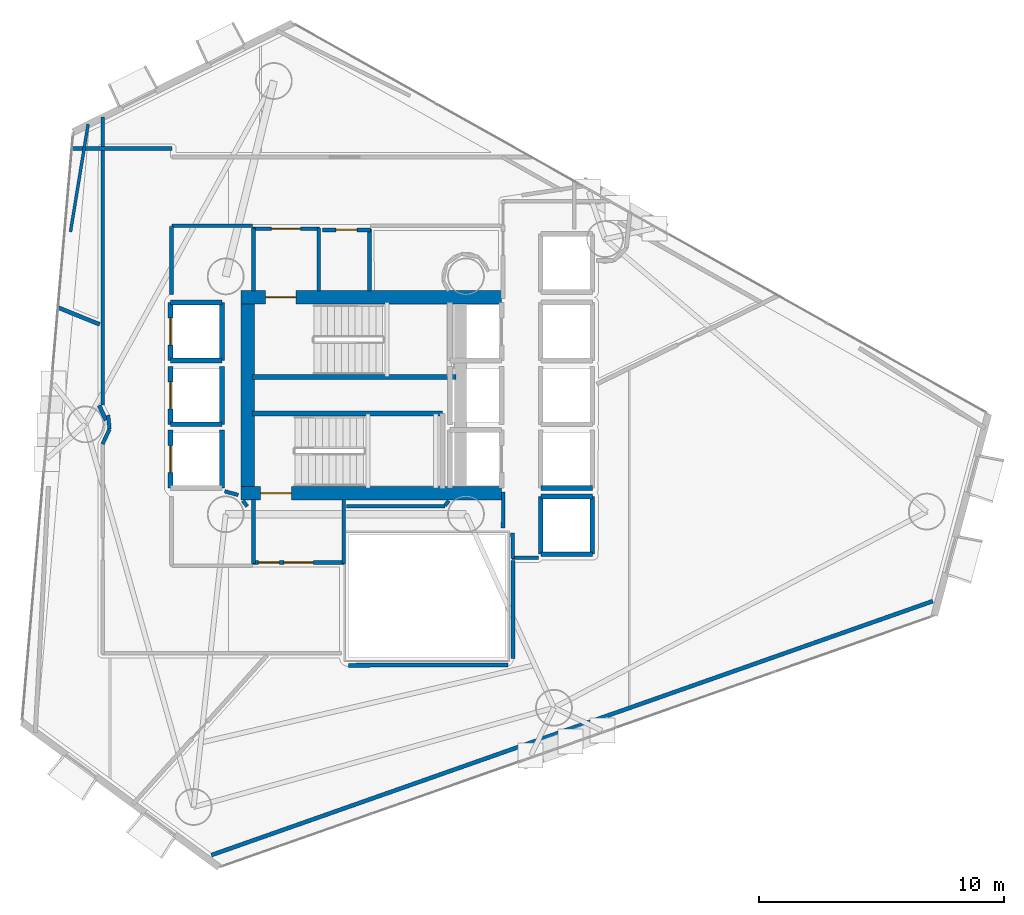
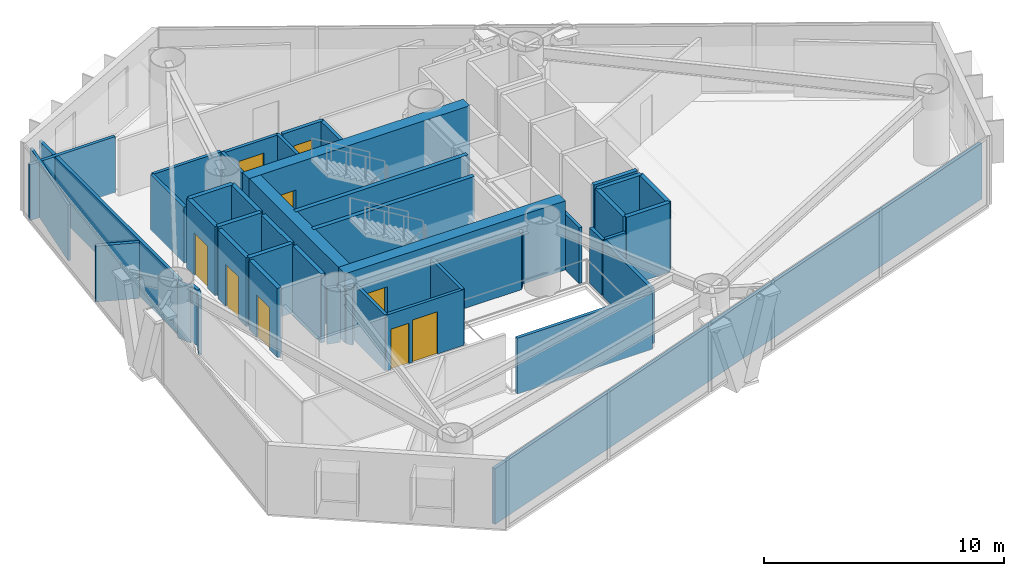
# One storey, part 15 of 19: 46 walls, 9 doors, 9 openings.
"""IFC4 building model written with IfcOpenShell, lengths in metres."""

from ifc_helpers import new_model, si_unit, direction, frame, frame_2d, origin, place, context, subcontext, project, spatial, rectangle, extrude, material, layer, layer_set, type_object, element, fill, save


model = new_model("IFC4")

# Units and contexts
model_context = context("Model", 3, precision=1e-05, world=origin(), true_north=direction((0.0, 1.0)))
body_context = subcontext(model_context, "Body", "Model", "MODEL_VIEW")
ifc_project = project(units=[si_unit("LENGTHUNIT", "METRE"), si_unit("AREAUNIT", "SQUARE_METRE"), si_unit("VOLUMEUNIT", "CUBIC_METRE"), si_unit("PLANEANGLEUNIT", "RADIAN"), si_unit("MASSUNIT", "GRAM", prefix="KILO")], contexts=[model_context])

# Site, building, storey
site_placement = place(None, origin())
site = spatial("IfcSite", under=ifc_project, at=site_placement, CompositionType="ELEMENT")
building_placement = place(site_placement, origin())
building = spatial("IfcBuilding", under=site, at=building_placement, Name="Qianvela Tower", CompositionType="ELEMENT")
storey_placement = place(building_placement, frame((0.0, 0.0, 123.699951171875)))
storey = spatial("IfcBuildingStorey", under=building, at=storey_placement, Name="L31", CompositionType="ELEMENT", Elevation=123.699951171875)

# Wall, opening, door
ifc_material_1 = material(Name="Concrete C60", Category="concrete")
ifc_layer_1 = layer(ifc_material_1, 0.550048828125)
ifc_layer_set_1 = layer_set([ifc_layer_1], Name="Concrete C60")
wall_type_1 = type_object("IfcWallType", Name="WT-CORE-550", PredefinedType="SHEAR", material=ifc_layer_set_1)
wall_1_placement = place(storey_placement, frame((29.22998046875, 32.695068359375, 0.0), z_axis=(0.0, 0.0, 1.0), x_axis=(1.0, 0.0, 0.0)))
wall_1 = element("IfcWall", 1, at=wall_1_placement, inside=storey, type_object=wall_type_1, Name="L31 North Core Shear Wall", PredefinedType="SHEAR", context=body_context, shape_type="SweptSolid", body=[
    extrude(rectangle(XDim=10.6201171875, YDim=0.550048828125, at=frame_2d((5.31005859375, 0.0))), origin(), (0.0, 0.0, 1.0), 3.52001953125),
])
opening_1_placement = place(wall_1_placement, frame((0.9951171875, 0.0, 0.0)))
opening_1 = element("IfcOpeningElement", 2, at=opening_1_placement, cuts=wall_1, Name="Opening D-ST1", PredefinedType="OPENING", context=body_context, shape_type="SweptSolid", body=[
    extrude(rectangle(XDim=1.25, YDim=2.14990234375, at=frame_2d((0.625, 1.074951171875))), frame((0.0, 0.284912109375, 0.0), z_axis=(0.0, -1.0, 0.0), x_axis=(1.0, 0.0, 0.0)), (0.0, 0.0, 1.0), 0.570068359375),
])
ifc_material_2 = material(Name="Galvanised Fire Steel Q355B", Category="steel")
door_type_1 = type_object("IfcDoorType", Name="DT-STAIR-FD90", OperationType="NOTDEFINED", PredefinedType="DOOR", material=ifc_material_2)
door_1_placement = place(opening_1_placement, origin())
door_1 = element("IfcDoor", 3, at=door_1_placement, inside=storey, type_object=door_type_1, Name="L31 Stair ST-1 Exit Door", OperationType="SINGLE_SWING_RIGHT", OverallHeight=2.14990234375, OverallWidth=1.25, PredefinedType="DOOR", context=body_context, shape_type="SweptSolid", body=[
    extrude(rectangle(XDim=1.25, YDim=2.14990234375, at=frame_2d((0.625, 1.074951171875))), frame((0.0, 0.02490234375, 0.0), z_axis=(0.0, -1.0, 0.0), x_axis=(1.0, 0.0, 0.0)), (0.0, 0.0, 1.0), 0.050048828125),
])
fill(opening_1, door_1)

wall_2_placement = place(storey_placement, frame((29.22998046875, 24.705078125, 0.0), z_axis=(0.0, 0.0, 1.0), x_axis=(1.0, 0.0, 0.0)))
wall_2 = element("IfcWall", 4, at=wall_2_placement, inside=storey, type_object=wall_type_1, Name="L31 South Core Shear Wall", PredefinedType="SHEAR", context=body_context, shape_type="SweptSolid", body=[
    extrude(rectangle(XDim=10.6201171875, YDim=0.550048828125, at=frame_2d((5.31005859375, 0.0))), origin(), (0.0, 0.0, 1.0), 3.52001953125),
])
opening_2_placement = place(wall_2_placement, frame((0.794921875, 0.0, 0.0)))
opening_2 = element("IfcOpeningElement", 5, at=opening_2_placement, cuts=wall_2, Name="Opening D-ST1", PredefinedType="OPENING", context=body_context, shape_type="SweptSolid", body=[
    extrude(rectangle(XDim=1.25, YDim=2.14990234375, at=frame_2d((0.625, 1.074951171875))), frame((0.0, 0.284912109375, 0.0), z_axis=(0.0, -1.0, 0.0), x_axis=(1.0, 0.0, 0.0)), (0.0, 0.0, 1.0), 0.570068359375),
])
door_2_placement = place(opening_2_placement, origin())
door_2 = element("IfcDoor", 6, at=door_2_placement, inside=storey, type_object=door_type_1, Name="L31 Stair ST-2 Exit Door", OperationType="SINGLE_SWING_LEFT", OverallHeight=2.14990234375, OverallWidth=1.25, PredefinedType="DOOR", context=body_context, shape_type="SweptSolid", body=[
    extrude(rectangle(XDim=1.25, YDim=2.14990234375, at=frame_2d((0.625, 1.074951171875))), frame((0.0, 0.02490234375, 0.0), z_axis=(0.0, -1.0, 0.0), x_axis=(1.0, 0.0, 0.0)), (0.0, 0.0, 1.0), 0.050048828125),
])
fill(opening_2, door_2)

# Walls
wall_3_placement = place(storey_placement, frame((29.5048828125, 24.97998046875, 0.0), z_axis=(0.0, 0.0, 1.0), x_axis=(0.0, 1.0, 0.0)))
element("IfcWall", 7, at=wall_3_placement, inside=storey, type_object=wall_type_1, Name="L31 West Core Shear Wall", PredefinedType="SHEAR", context=body_context, shape_type="SweptSolid", body=[
    extrude(rectangle(XDim=7.43994140625, YDim=0.550048828125, at=frame_2d((3.719970703125, 0.0))), origin(), (0.0, 0.0, 1.0), 3.52001953125),
])
ifc_material_3 = material(Name="Fire-Rated Acoustic Gypsum Board")
ifc_layer_2 = layer(ifc_material_3, 0.14990234375)
ifc_layer_set_2 = layer_set([ifc_layer_2], Name="Fire-Rated Acoustic Gypsum Board")
wall_type_2 = type_object("IfcWallType", Name="WT-CORR-150", PredefinedType="PARTITIONING", material=ifc_layer_set_2)
wall_4_placement = place(storey_placement, frame((29.73095703125, 32.9580078125, 0.0), z_axis=(0.0, 0.0, 1.0), x_axis=(0.0, 1.0, 0.0)))
element("IfcWall", 8, at=wall_4_placement, inside=storey, type_object=wall_type_2, Name="L31 Partition 2", PredefinedType="PARTITIONING", context=body_context, shape_type="SweptSolid", body=[
    extrude(rectangle(XDim=2.56201171875, YDim=0.14990234375, at=frame_2d((1.281005859375, 0.0))), origin(), (0.0, 0.0, 1.0), 2.840087890625),
])

# Wall, opening, door
wall_5_placement = place(storey_placement, frame((29.699951171875, 35.489013671875, 0.0), z_axis=(0.0, 0.0, 1.0), x_axis=(1.0, 0.0, 0.0)))
wall_5 = element("IfcWall", 9, at=wall_5_placement, inside=storey, type_object=wall_type_2, Name="L31 Partition 3", PredefinedType="PARTITIONING", context=body_context, shape_type="SweptSolid", body=[
    extrude(rectangle(XDim=2.719970703125, YDim=0.14990234375, at=frame_2d((1.35986328125, 0.0))), origin(), (0.0, 0.0, 1.0), 2.840087890625),
])
opening_3_placement = place(wall_5_placement, frame((0.760009765625, 0.0, 0.0)))
opening_3 = element("IfcOpeningElement", 10, at=opening_3_placement, cuts=wall_5, Name="Opening D-LB1", PredefinedType="OPENING", context=body_context, shape_type="SweptSolid", body=[
    extrude(rectangle(XDim=1.199951171875, YDim=2.14990234375, at=frame_2d((0.60009765625, 1.074951171875))), frame((0.0, 0.0849609375, 0.0), z_axis=(0.0, -1.0, 0.0), x_axis=(1.0, 0.0, 0.0)), (0.0, 0.0, 1.0), 0.169921875),
])
ifc_material_4 = material(Name="Glazed Fire-Rated Steel Frame", Category="steel")
door_type_2 = type_object("IfcDoorType", Name="DT-LOBBY-FD90", OperationType="NOTDEFINED", PredefinedType="DOOR", material=ifc_material_4)
door_3_placement = place(opening_3_placement, origin())
door_3 = element("IfcDoor", 11, at=door_3_placement, inside=storey, type_object=door_type_2, Name="L31 Door L31 Firefighting Lobby North to L31 Floor Corridor", OperationType="SINGLE_SWING_LEFT", OverallHeight=2.14990234375, OverallWidth=1.199951171875, PredefinedType="DOOR", context=body_context, shape_type="SweptSolid", body=[
    extrude(rectangle(XDim=1.199951171875, YDim=2.14990234375, at=frame_2d((0.60009765625, 1.074951171875))), frame((0.0, 0.02490234375, 0.0), z_axis=(0.0, -1.0, 0.0), x_axis=(1.0, 0.0, 0.0)), (0.0, 0.0, 1.0), 0.050048828125),
])
fill(opening_3, door_3)

# Wall
wall_6_placement = place(storey_placement, frame((32.388916015625, 35.52001953125, 0.0), z_axis=(0.0, 0.0, 1.0), x_axis=(0.0, -1.0, 0.0)))
element("IfcWall", 12, at=wall_6_placement, inside=storey, type_object=wall_type_2, Name="L31 Partition 4", PredefinedType="PARTITIONING", context=body_context, shape_type="SweptSolid", body=[
    extrude(rectangle(XDim=2.56201171875, YDim=0.14990234375, at=frame_2d((1.281005859375, 0.0))), origin(), (0.0, 0.0, 1.0), 2.840087890625),
])

# Wall, openings, doors
wall_7_placement = place(storey_placement, frame((33.449951171875, 21.881103515625, 0.0), z_axis=(0.0, 0.0, 1.0), x_axis=(-1.0, 0.0, 0.0)))
wall_7 = element("IfcWall", 13, at=wall_7_placement, inside=storey, type_object=wall_type_2, Name="L31 Partition 5", PredefinedType="PARTITIONING", context=body_context, shape_type="SweptSolid", body=[
    extrude(rectangle(XDim=3.75, YDim=0.14990234375, at=frame_2d((1.875, 0.0))), origin(), (0.0, 0.0, 1.0), 2.840087890625),
])
opening_4_placement = place(wall_7_placement, frame((1.27490234375, 0.0, 0.0)))
opening_4 = element("IfcOpeningElement", 14, at=opening_4_placement, cuts=wall_7, Name="Opening D-LB1", PredefinedType="OPENING", context=body_context, shape_type="SweptSolid", body=[
    extrude(rectangle(XDim=1.199951171875, YDim=2.14990234375, at=frame_2d((0.60009765625, 1.074951171875))), frame((0.0, 0.0849609375, 0.0), z_axis=(0.0, -1.0, 0.0), x_axis=(1.0, 0.0, 0.0)), (0.0, 0.0, 1.0), 0.169921875),
])
opening_5_placement = place(wall_7_placement, frame((2.659912109375, 0.0, 0.0)))
opening_5 = element("IfcOpeningElement", 15, at=opening_5_placement, cuts=wall_7, Name="Opening D-LB2", PredefinedType="OPENING", context=body_context, shape_type="SweptSolid", body=[
    extrude(rectangle(XDim=0.860107421875, YDim=2.050048828125, at=frame_2d((0.43017578125, 1.02490234375))), frame((0.0, 0.0849609375, 0.0), z_axis=(0.0, -1.0, 0.0), x_axis=(1.0, 0.0, 0.0)), (0.0, 0.0, 1.0), 0.169921875),
])
door_4_placement = place(opening_4_placement, origin())
door_4 = element("IfcDoor", 16, at=door_4_placement, inside=storey, type_object=door_type_2, Name="L31 Door L31 Firefighting Lobby South to L31 Floor Corridor", OperationType="SINGLE_SWING_RIGHT", OverallHeight=2.14990234375, OverallWidth=1.199951171875, PredefinedType="DOOR", context=body_context, shape_type="SweptSolid", body=[
    extrude(rectangle(XDim=1.199951171875, YDim=2.14990234375, at=frame_2d((0.60009765625, 1.074951171875))), frame((0.0, 0.02490234375, 0.0), z_axis=(0.0, -1.0, 0.0), x_axis=(1.0, 0.0, 0.0)), (0.0, 0.0, 1.0), 0.050048828125),
])
fill(opening_4, door_4)
ifc_material_5 = material(Name="Insulated Steel Fire Door Q355B", Category="steel")
door_type_3 = type_object("IfcDoorType", Name="DT-LOBBY-FD90-860", OperationType="NOTDEFINED", PredefinedType="DOOR", material=ifc_material_5)
door_5_placement = place(opening_5_placement, origin())
door_5 = element("IfcDoor", 17, at=door_5_placement, inside=storey, type_object=door_type_3, Name="L31 Door L31 Firefighting Lobby South to L31 Floor Corridor", OperationType="SINGLE_SWING_LEFT", OverallHeight=2.050048828125, OverallWidth=0.860107421875, PredefinedType="DOOR", context=body_context, shape_type="SweptSolid", body=[
    extrude(rectangle(XDim=0.860107421875, YDim=2.050048828125, at=frame_2d((0.43017578125, 1.02490234375))), frame((0.0, 0.02490234375, 0.0), z_axis=(0.0, -1.0, 0.0), x_axis=(1.0, 0.0, 0.0)), (0.0, 0.0, 1.0), 0.050048828125),
])
fill(opening_5, door_5)

# Walls
for number, where, z_axis, x_axis, name in (
    (18, (29.73095703125, 21.85009765625, 0.0), (0.0, 0.0, 1.0), (0.0, 1.0, 0.0), "L31 Partition 6"),
    (19, (33.4189453125, 24.44189453125, 0.0), (0.0, 0.0, 1.0), (0.0, -1.0, 0.0), "L31 Partition 8"),
):
    element("IfcWall", number, at=place(storey_placement, frame(where, z_axis=z_axis, x_axis=x_axis)), inside=storey, type_object=wall_type_2, Name=name, PredefinedType="PARTITIONING", context=body_context, shape_type="SweptSolid", body=[
        extrude(rectangle(XDim=2.591796875, YDim=0.14990234375, at=frame_2d((1.2958984375, 0.0))), origin(), (0.0, 0.0, 1.0), 2.840087890625),
    ])
wall_8_placement = place(storey_placement, frame((41.360107421875, 22.0810546875, 0.0), z_axis=(0.0, 0.0, 1.0), x_axis=(-1.0, 0.0, 0.0)))
element("IfcWall", 20, at=wall_8_placement, inside=storey, type_object=wall_type_2, Name="L31 Partition 15", PredefinedType="PARTITIONING", context=body_context, shape_type="SweptSolid", body=[
    extrude(rectangle(XDim=1.080078125, YDim=0.14990234375, at=frame_2d((0.5400390625, 0.0))), origin(), (0.0, 0.0, 1.0), 2.840087890625),
])
wall_9_placement = place(storey_placement, frame((40.31103515625, 22.05029296875, 0.0), z_axis=(0.0, 0.0, 1.0), x_axis=(-0.011836292006, 0.999929948642, 0.0)))
element("IfcWall", 21, at=wall_9_placement, inside=storey, type_object=wall_type_2, Name="L31 Partition 16", PredefinedType="PARTITIONING", context=body_context, shape_type="SweptSolid", body=[
    extrude(rectangle(XDim=1.03125, YDim=0.14990234375, at=frame_2d((0.515625, 0.0))), origin(), (0.0, 0.0, 1.0), 2.840087890625),
])
wall_10_placement = place(storey_placement, frame((39.910888671875, 23.27978515625, 0.0), z_axis=(0.0, 0.0, 1.0), x_axis=(0.009397771291, 0.999955839972, 0.0)))
element("IfcWall", 22, at=wall_10_placement, inside=storey, type_object=wall_type_2, Name="L31 Partition 17", PredefinedType="PARTITIONING", context=body_context, shape_type="SweptSolid", body=[
    extrude(rectangle(XDim=1.480712890625, YDim=0.14990234375, at=frame_2d((0.740234375, 0.0))), origin(), (0.0, 0.0, 1.0), 2.840087890625),
])
wall_11_placement = place(storey_placement, frame((29.47998046875, 24.1689453125, 0.0), z_axis=(0.0, 0.0, 1.0), x_axis=(-0.608043045279, 0.79390405912, 0.0)))
element("IfcWall", 23, at=wall_11_placement, inside=storey, type_object=wall_type_2, Name="L31 Partition 26", PredefinedType="PARTITIONING", context=body_context, shape_type="SweptSolid", body=[
    extrude(rectangle(XDim=0.290283203125, YDim=0.14990234375, at=frame_2d((0.14501953125, 0.0))), origin(), (0.0, 0.0, 1.0), 2.840087890625),
])
wall_12_placement = place(storey_placement, frame((29.113525390625, 24.63671875, 0.0), z_axis=(0.0, 0.0, 1.0), x_axis=(-0.966199685486, 0.257794817183, 0.0)))
element("IfcWall", 24, at=wall_12_placement, inside=storey, type_object=wall_type_2, Name="L31 Partition 27", PredefinedType="PARTITIONING", context=body_context, shape_type="SweptSolid", body=[
    extrude(rectangle(XDim=0.574951171875, YDim=0.14990234375, at=frame_2d((0.28759765625, 0.0))), origin(), (0.0, 0.0, 1.0), 2.840087890625),
])
wall_13_placement = place(storey_placement, frame((37.696533203125, 24.3994140625, 0.0), z_axis=(0.0, 0.0, 1.0), x_axis=(-0.60763139403, -0.794219169367, 0.0)))
element("IfcWall", 25, at=wall_13_placement, inside=storey, type_object=wall_type_2, Name="L31 Partition 34", PredefinedType="PARTITIONING", context=body_context, shape_type="SweptSolid", body=[
    extrude(rectangle(XDim=0.25, YDim=0.14990234375, at=frame_2d((0.125, 0.0))), origin(), (0.0, 0.0, 1.0), 2.840087890625),
])
wall_14_placement = place(storey_placement, frame((37.544677734375, 24.180908203125, 0.0), z_axis=(0.0, 0.0, 1.0), x_axis=(-1.0, 0.0, 0.0)))
element("IfcWall", 26, at=wall_14_placement, inside=storey, type_object=wall_type_2, Name="L31 Partition 35", PredefinedType="PARTITIONING", context=body_context, shape_type="SweptSolid", body=[
    extrude(rectangle(XDim=4.0146484375, YDim=0.14990234375, at=frame_2d((2.00732421875, 0.0))), origin(), (0.0, 0.0, 1.0), 2.840087890625),
])
wall_15_placement = place(storey_placement, frame((23.5810546875, 28.306640625, 0.0), z_axis=(0.0, 0.0, 1.0), x_axis=(0.0, 1.0, 0.0)))
element("IfcWall", 27, at=wall_15_placement, inside=storey, type_object=wall_type_2, Name="L31 Partition 36", PredefinedType="PARTITIONING", context=body_context, shape_type="SweptSolid", body=[
    extrude(rectangle(XDim=11.748046875, YDim=0.14990234375, at=frame_2d((5.8740234375, 0.0))), origin(), (0.0, 0.0, 1.0), 2.840087890625),
])
wall_16_placement = place(storey_placement, frame((22.304443359375, 38.76904296875, 0.0), z_axis=(0.0, 0.0, 1.0), x_axis=(1.0, 0.0, 0.0)))
element("IfcWall", 28, at=wall_16_placement, inside=storey, type_object=wall_type_2, Name="L31 Partition 37", PredefinedType="PARTITIONING", context=body_context, shape_type="SweptSolid", body=[
    extrude(rectangle(XDim=4.115478515625, YDim=0.14990234375, at=frame_2d((2.0576171875, 0.0))), origin(), (0.0, 0.0, 1.0), 2.840087890625),
])
wall_17_placement = place(storey_placement, frame((29.699951171875, 35.611083984375, 0.0), z_axis=(0.0, 0.0, 1.0), x_axis=(-1.0, 0.0, 0.0)))
element("IfcWall", 29, at=wall_17_placement, inside=storey, type_object=wall_type_2, Name="L31 Partition 42 seg 3", PredefinedType="PARTITIONING", context=body_context, shape_type="SweptSolid", body=[
    extrude(rectangle(XDim=3.280029296875, YDim=0.14990234375, at=frame_2d((1.64013671875, 0.0))), origin(), (0.0, 0.0, 1.0), 2.840087890625),
])
wall_18_placement = place(storey_placement, frame((26.388916015625, 35.580078125, 0.0), z_axis=(0.0, 0.0, 1.0), x_axis=(0.0, -1.0, 0.0)))
element("IfcWall", 30, at=wall_18_placement, inside=storey, type_object=wall_type_2, Name="L31 Partition 43", PredefinedType="PARTITIONING", context=body_context, shape_type="SweptSolid", body=[
    extrude(rectangle(XDim=2.761474609375, YDim=0.14990234375, at=frame_2d((1.380859375, 0.0))), origin(), (0.0, 0.0, 1.0), 2.840087890625),
])
wall_19_placement = place(storey_placement, frame((23.578125, 26.71240234375, 0.0), z_axis=(0.0, 0.0, 1.0), x_axis=(0.421251946418, 0.906943657367, 0.0)))
element("IfcWall", 31, at=wall_19_placement, inside=storey, type_object=wall_type_2, Name="L31 Partition 49", PredefinedType="PARTITIONING", context=body_context, shape_type="SweptSolid", body=[
    extrude(rectangle(XDim=0.6630859375, YDim=0.14990234375, at=frame_2d((0.33154296875, 0.0))), origin(), (0.0, 0.0, 1.0), 2.840087890625),
])
wall_20_placement = place(storey_placement, frame((23.860107421875, 27.329833984375, 0.0), z_axis=(0.0, 0.0, 1.0), x_axis=(-0.098000919071, 0.995186324193, 0.0)))
element("IfcWall", 32, at=wall_20_placement, inside=storey, type_object=wall_type_2, Name="L31 Partition 50", PredefinedType="PARTITIONING", context=body_context, shape_type="SweptSolid", body=[
    extrude(rectangle(XDim=0.56298828125, YDim=0.14990234375, at=frame_2d((0.281494140625, 0.0))), origin(), (0.0, 0.0, 1.0), 2.840087890625),
])
ifc_material_6 = material(Name="Insulated Gypsum Stud Partition")
ifc_layer_3 = layer(ifc_material_6, 0.1201171875)
ifc_layer_set_3 = layer_set([ifc_layer_3], Name="Insulated Gypsum Stud Partition")
wall_type_3 = type_object("IfcWallType", Name="WT-PART-120", PredefinedType="PARTITIONING", material=ifc_layer_set_3)
wall_21_placement = place(storey_placement, frame((22.2705078125, 35.36962890625, 0.0), z_axis=(0.0, 0.0, 1.0), x_axis=(0.161416648248, 0.986886348912, 0.0)))
element("IfcWall", 33, at=wall_21_placement, inside=storey, type_object=wall_type_3, Name="L31 Partition 98 seg 1", PredefinedType="PARTITIONING", context=body_context, shape_type="SweptSolid", body=[
    extrude(rectangle(XDim=4.4482421875, YDim=0.1201171875, at=frame_2d((2.22412109375, 0.0))), origin(), (0.0, 0.0, 1.0), 2.840087890625),
])

# Wall, opening, door
ifc_material_7 = material(Name="Sanitary Service Chase Partition")
ifc_layer_4 = layer(ifc_material_7, 0.1650390625)
ifc_layer_set_4 = layer_set([ifc_layer_4], Name="Sanitary Service Chase Partition")
wall_type_4 = type_object("IfcWallType", Name="WT-PLUMB-165", PredefinedType="PLUMBINGWALL", material=ifc_layer_set_4)
wall_22_placement = place(storey_placement, frame((32.550048828125, 35.448974609375, 0.0), z_axis=(0.0, 0.0, 1.0), x_axis=(1.0, 0.0, 0.0)))
wall_22 = element("IfcWall", 34, at=wall_22_placement, inside=storey, type_object=wall_type_4, Name="L31 Partition 20", PredefinedType="PLUMBINGWALL", context=body_context, shape_type="SweptSolid", body=[
    extrude(rectangle(XDim=1.949951171875, YDim=0.1650390625, at=frame_2d((0.97509765625, 0.0))), origin(), (0.0, 0.0, 1.0), 2.840087890625),
])
opening_6_placement = place(wall_22_placement, frame((0.544921875, 0.0, 0.0)))
opening_6 = element("IfcOpeningElement", 35, at=opening_6_placement, cuts=wall_22, Name="Opening D-WC1", PredefinedType="OPENING", context=body_context, shape_type="SweptSolid", body=[
    extrude(rectangle(XDim=0.860107421875, YDim=2.050048828125, at=frame_2d((0.43017578125, 1.02490234375))), frame((0.0, 0.092529296875, 0.0), z_axis=(0.0, -1.0, 0.0), x_axis=(1.0, 0.0, 0.0)), (0.0, 0.0, 1.0), 0.18505859375),
])
ifc_material_8 = material(Name="Moisture-Sealed Acoustic Timber Door", Category="wood")
door_type_4 = type_object("IfcDoorType", Name="DT-WC-860", OperationType="NOTDEFINED", PredefinedType="DOOR", material=ifc_material_8)
door_6_placement = place(opening_6_placement, origin())
door_6 = element("IfcDoor", 36, at=door_6_placement, inside=storey, type_object=door_type_4, Name="L31 Door L31 Accessible WC to L31 Floor Corridor", OperationType="SINGLE_SWING_RIGHT", OverallHeight=2.050048828125, OverallWidth=0.860107421875, PredefinedType="DOOR", context=body_context, shape_type="SweptSolid", body=[
    extrude(rectangle(XDim=0.860107421875, YDim=2.050048828125, at=frame_2d((0.43017578125, 1.02490234375))), frame((0.0, 0.02490234375, 0.0), z_axis=(0.0, -1.0, 0.0), x_axis=(1.0, 0.0, 0.0)), (0.0, 0.0, 1.0), 0.050048828125),
])
fill(opening_6, door_6)

# Walls
wall_23_placement = place(storey_placement, frame((34.468994140625, 35.47998046875, 0.0), z_axis=(0.0, 0.0, 1.0), x_axis=(0.0, -1.0, 0.0)))
element("IfcWall", 37, at=wall_23_placement, inside=storey, type_object=wall_type_4, Name="L31 Partition 21", PredefinedType="PLUMBINGWALL", context=body_context, shape_type="SweptSolid", body=[
    extrude(rectangle(XDim=2.52197265625, YDim=0.1650390625, at=frame_2d((1.260986328125, 0.0))), origin(), (0.0, 0.0, 1.0), 2.840087890625),
])
wall_24_placement = place(storey_placement, frame((21.742919921875, 32.28759765625, 0.0), z_axis=(0.0, 0.0, 1.0), x_axis=(0.927188084006, -0.374596125017, 0.0)))
element("IfcWall", 38, at=wall_24_placement, inside=storey, type_object=wall_type_4, Name="L31 Partition 51", PredefinedType="PLUMBINGWALL", context=body_context, shape_type="SweptSolid", body=[
    extrude(rectangle(XDim=1.850341796875, YDim=0.1650390625, at=frame_2d((0.92529296875, 0.0))), origin(), (0.0, 0.0, 1.0), 2.840087890625),
])
wall_25_placement = place(storey_placement, frame((23.442138671875, 28.285888671875, 0.0), z_axis=(0.0, 0.0, 1.0), x_axis=(0.41857044132, -0.908184334622, 0.0)))
element("IfcWall", 39, at=wall_25_placement, inside=storey, type_object=wall_type_4, Name="L31 Partition 53", PredefinedType="PLUMBINGWALL", context=body_context, shape_type="SweptSolid", body=[
    extrude(rectangle(XDim=0.666748046875, YDim=0.1650390625, at=frame_2d((0.33349609375, 0.0))), origin(), (0.0, 0.0, 1.0), 2.840087890625),
])
wall_26_placement = place(storey_placement, frame((40.309814453125, 17.972412109375, 0.0), z_axis=(0.0, 0.0, 1.0), x_axis=(0.000305362145, 0.999999953377, 0.0)))
element("IfcWall", 40, at=wall_26_placement, inside=storey, type_object=wall_type_4, Name="L31 Partition 61 seg 1", PredefinedType="PLUMBINGWALL", context=body_context, shape_type="SweptSolid", body=[
    extrude(rectangle(XDim=3.99755859375, YDim=0.1650390625, at=frame_2d((1.998779296875, 0.0))), origin(), (0.0, 0.0, 1.0), 2.840087890625),
])
wall_27_placement = place(storey_placement, frame((57.43798828125, 20.30517578125, 0.0), z_axis=(0.0, 0.0, 1.0), x_axis=(-0.943260862514, -0.332052624216, 0.0)))
element("IfcWall", 41, at=wall_27_placement, inside=storey, type_object=wall_type_4, Name="L31 Partition 70", PredefinedType="PLUMBINGWALL", context=body_context, shape_type="SweptSolid", body=[
    extrude(rectangle(XDim=31.186279296875, YDim=0.1650390625, at=frame_2d((15.59326171875, 0.0))), origin(), (0.0, 0.0, 1.0), 2.840087890625),
])
wall_28_placement = place(storey_placement, frame((33.60009765625, 17.68896484375, 0.0), z_axis=(0.0, 0.0, 1.0), x_axis=(0.99999467303, 0.003264033036, 0.0)))
element("IfcWall", 42, at=wall_28_placement, inside=storey, type_object=wall_type_4, Name="L31 Partition 74", PredefinedType="PLUMBINGWALL", context=body_context, shape_type="SweptSolid", body=[
    extrude(rectangle(XDim=6.50732421875, YDim=0.1650390625, at=frame_2d((3.253662109375, 0.0))), origin(), (0.0, 0.0, 1.0), 2.840087890625),
])
ifc_material_9 = material(Name="Concrete C50", Category="concrete")
ifc_layer_5 = layer(ifc_material_9, 0.199951171875)
ifc_layer_set_5 = layer_set([ifc_layer_5], Name="Concrete C50")
wall_type_5 = type_object("IfcWallType", Name="WT-SHAFT-200", PredefinedType="SOLIDWALL", material=ifc_layer_set_5)
wall_29_placement = place(storey_placement, frame((29.699951171875, 29.449951171875, 0.0), z_axis=(0.0, 0.0, 1.0), x_axis=(1.0, 0.0, 0.0)))
element("IfcWall", 43, at=wall_29_placement, inside=storey, type_object=wall_type_5, Name="L31 Stair ST-1 South Wall", PredefinedType="SOLIDWALL", context=body_context, shape_type="SweptSolid", body=[
    extrude(rectangle(XDim=8.300048828125, YDim=0.199951171875, at=frame_2d((4.14990234375, 0.0))), origin(), (0.0, 0.0, 1.0), 3.52001953125),
])
wall_30_placement = place(storey_placement, frame((29.699951171875, 27.9599609375, 0.0), z_axis=(0.0, 0.0, 1.0), x_axis=(1.0, 0.0, 0.0)))
element("IfcWall", 44, at=wall_30_placement, inside=storey, type_object=wall_type_5, Name="L31 Stair ST-2 North Wall", PredefinedType="SOLIDWALL", context=body_context, shape_type="SweptSolid", body=[
    extrude(rectangle(XDim=7.75, YDim=0.199951171875, at=frame_2d((3.875, 0.0))), origin(), (0.0, 0.0, 1.0), 3.52001953125),
])
wall_31_placement = place(storey_placement, frame((28.449951171875, 30.1201171875, 0.0), z_axis=(0.0, 0.0, 1.0), x_axis=(0.0, 1.0, 0.0)))
element("IfcWall", 45, at=wall_31_placement, inside=storey, type_object=wall_type_5, Name="L31 Lift PL-L1 E Shaft Wall", PredefinedType="SOLIDWALL", context=body_context, shape_type="SweptSolid", body=[
    extrude(rectangle(XDim=2.35986328125, YDim=0.199951171875, at=frame_2d((1.179931640625, 0.0))), origin(), (0.0, 0.0, 1.0), 3.52001953125),
])

# Wall, opening, door
wall_32_placement = place(storey_placement, frame((26.35009765625, 30.1201171875, 0.0), z_axis=(0.0, 0.0, 1.0), x_axis=(0.0, 1.0, 0.0)))
wall_32 = element("IfcWall", 46, at=wall_32_placement, inside=storey, type_object=wall_type_5, Name="L31 Lift PL-L1 W Shaft Wall", PredefinedType="SOLIDWALL", context=body_context, shape_type="SweptSolid", body=[
    extrude(rectangle(XDim=2.35986328125, YDim=0.199951171875, at=frame_2d((1.179931640625, 0.0))), origin(), (0.0, 0.0, 1.0), 3.52001953125),
])
opening_7_placement = place(wall_32_placement, frame((0.6298828125, 0.0, 0.0)))
opening_7 = element("IfcOpeningElement", 47, at=opening_7_placement, cuts=wall_32, Name="Opening LD-01", PredefinedType="OPENING", context=body_context, shape_type="SweptSolid", body=[
    extrude(rectangle(XDim=1.10009765625, YDim=2.14990234375, at=frame_2d((0.550048828125, 1.074951171875))), frame((0.0, 0.10986328125, 0.0), z_axis=(0.0, -1.0, 0.0), x_axis=(1.0, 0.0, 0.0)), (0.0, 0.0, 1.0), 0.219970703125),
])
ifc_material_10 = material(Name="Brushed Stainless Steel Lift Landing Door", Category="steel")
door_type_5 = type_object("IfcDoorType", Name="DT-LIFT-SLIDE-1100", OperationType="SLIDING_TO_LEFT", PredefinedType="DOOR", material=ifc_material_10)
door_7_placement = place(opening_7_placement, origin())
door_7 = element("IfcDoor", 48, at=door_7_placement, inside=storey, type_object=door_type_5, Name="L31 Lift PL-L1 Sliding Landing Door", OperationType="SLIDING_TO_LEFT", OverallHeight=2.14990234375, OverallWidth=1.10009765625, PredefinedType="DOOR", context=body_context, shape_type="SweptSolid", body=[
    extrude(rectangle(XDim=1.10009765625, YDim=2.14990234375, at=frame_2d((0.550048828125, 1.074951171875))), frame((0.0, 0.02490234375, 0.0), z_axis=(0.0, -1.0, 0.0), x_axis=(1.0, 0.0, 0.0)), (0.0, 0.0, 1.0), 0.050048828125),
])
fill(opening_7, door_7)

# Walls
for number, where, z_axis, x_axis, name in (
    (49, (26.35009765625, 32.47998046875, 0.0), (0.0, 0.0, 1.0), (1.0, 0.0, 0.0), "L31 Lift PL-L1 N Shaft Wall"),
    (50, (26.35009765625, 30.1201171875, 0.0), (0.0, 0.0, 1.0), (1.0, 0.0, 0.0), "L31 Lift PL-L1 S Shaft Wall"),
):
    element("IfcWall", number, at=place(storey_placement, frame(where, z_axis=z_axis, x_axis=x_axis)), inside=storey, type_object=wall_type_5, Name=name, PredefinedType="SOLIDWALL", context=body_context, shape_type="SweptSolid", body=[
        extrude(rectangle(XDim=2.099853515625, YDim=0.199951171875, at=frame_2d((1.0498046875, 0.0))), origin(), (0.0, 0.0, 1.0), 3.52001953125),
    ])
wall_33_placement = place(storey_placement, frame((28.449951171875, 27.52001953125, 0.0), z_axis=(0.0, 0.0, 1.0), x_axis=(0.0, 1.0, 0.0)))
element("IfcWall", 51, at=wall_33_placement, inside=storey, type_object=wall_type_5, Name="L31 Lift PL-L2 E Shaft Wall", PredefinedType="SOLIDWALL", context=body_context, shape_type="SweptSolid", body=[
    extrude(rectangle(XDim=2.35986328125, YDim=0.199951171875, at=frame_2d((1.179931640625, 0.0))), origin(), (0.0, 0.0, 1.0), 3.52001953125),
])

# Wall, opening, door
wall_34_placement = place(storey_placement, frame((26.35009765625, 27.52001953125, 0.0), z_axis=(0.0, 0.0, 1.0), x_axis=(0.0, 1.0, 0.0)))
wall_34 = element("IfcWall", 52, at=wall_34_placement, inside=storey, type_object=wall_type_5, Name="L31 Lift PL-L2 W Shaft Wall", PredefinedType="SOLIDWALL", context=body_context, shape_type="SweptSolid", body=[
    extrude(rectangle(XDim=2.35986328125, YDim=0.199951171875, at=frame_2d((1.179931640625, 0.0))), origin(), (0.0, 0.0, 1.0), 3.52001953125),
])
opening_8_placement = place(wall_34_placement, frame((0.6298828125, 0.0, 0.0)))
opening_8 = element("IfcOpeningElement", 53, at=opening_8_placement, cuts=wall_34, Name="Opening LD-01", PredefinedType="OPENING", context=body_context, shape_type="SweptSolid", body=[
    extrude(rectangle(XDim=1.10009765625, YDim=2.14990234375, at=frame_2d((0.550048828125, 1.074951171875))), frame((0.0, 0.10986328125, 0.0), z_axis=(0.0, -1.0, 0.0), x_axis=(1.0, 0.0, 0.0)), (0.0, 0.0, 1.0), 0.219970703125),
])
door_8_placement = place(opening_8_placement, origin())
door_8 = element("IfcDoor", 54, at=door_8_placement, inside=storey, type_object=door_type_5, Name="L31 Lift PL-L2 Sliding Landing Door", OperationType="SLIDING_TO_LEFT", OverallHeight=2.14990234375, OverallWidth=1.10009765625, PredefinedType="DOOR", context=body_context, shape_type="SweptSolid", body=[
    extrude(rectangle(XDim=1.10009765625, YDim=2.14990234375, at=frame_2d((0.550048828125, 1.074951171875))), frame((0.0, 0.02490234375, 0.0), z_axis=(0.0, -1.0, 0.0), x_axis=(1.0, 0.0, 0.0)), (0.0, 0.0, 1.0), 0.050048828125),
])
fill(opening_8, door_8)

# Walls
wall_35_placement = place(storey_placement, frame((26.35009765625, 27.52001953125, 0.0), z_axis=(0.0, 0.0, 1.0), x_axis=(1.0, 0.0, 0.0)))
element("IfcWall", 55, at=wall_35_placement, inside=storey, type_object=wall_type_5, Name="L31 Lift PL-L2 S Shaft Wall", PredefinedType="SOLIDWALL", context=body_context, shape_type="SweptSolid", body=[
    extrude(rectangle(XDim=2.099853515625, YDim=0.199951171875, at=frame_2d((1.0498046875, 0.0))), origin(), (0.0, 0.0, 1.0), 3.52001953125),
])
wall_36_placement = place(storey_placement, frame((28.449951171875, 24.919921875, 0.0), z_axis=(0.0, 0.0, 1.0), x_axis=(0.0, 1.0, 0.0)))
element("IfcWall", 56, at=wall_36_placement, inside=storey, type_object=wall_type_5, Name="L31 Lift PL-L3 E Shaft Wall", PredefinedType="SOLIDWALL", context=body_context, shape_type="SweptSolid", body=[
    extrude(rectangle(XDim=2.360107421875, YDim=0.199951171875, at=frame_2d((1.18017578125, 0.0))), origin(), (0.0, 0.0, 1.0), 3.52001953125),
])

# Wall, opening, door
wall_37_placement = place(storey_placement, frame((26.35009765625, 24.919921875, 0.0), z_axis=(0.0, 0.0, 1.0), x_axis=(0.0, 1.0, 0.0)))
wall_37 = element("IfcWall", 57, at=wall_37_placement, inside=storey, type_object=wall_type_5, Name="L31 Lift PL-L3 W Shaft Wall", PredefinedType="SOLIDWALL", context=body_context, shape_type="SweptSolid", body=[
    extrude(rectangle(XDim=2.360107421875, YDim=0.199951171875, at=frame_2d((1.18017578125, 0.0))), origin(), (0.0, 0.0, 1.0), 3.52001953125),
])
opening_9_placement = place(wall_37_placement, frame((0.6298828125, 0.0, 0.0)))
opening_9 = element("IfcOpeningElement", 58, at=opening_9_placement, cuts=wall_37, Name="Opening LD-01", PredefinedType="OPENING", context=body_context, shape_type="SweptSolid", body=[
    extrude(rectangle(XDim=1.10009765625, YDim=2.14990234375, at=frame_2d((0.550048828125, 1.074951171875))), frame((0.0, 0.10986328125, 0.0), z_axis=(0.0, -1.0, 0.0), x_axis=(1.0, 0.0, 0.0)), (0.0, 0.0, 1.0), 0.219970703125),
])
door_9_placement = place(opening_9_placement, origin())
door_9 = element("IfcDoor", 59, at=door_9_placement, inside=storey, type_object=door_type_5, Name="L31 Lift PL-L3 Sliding Landing Door", OperationType="SLIDING_TO_LEFT", OverallHeight=2.14990234375, OverallWidth=1.10009765625, PredefinedType="DOOR", context=body_context, shape_type="SweptSolid", body=[
    extrude(rectangle(XDim=1.10009765625, YDim=2.14990234375, at=frame_2d((0.550048828125, 1.074951171875))), frame((0.0, 0.02490234375, 0.0), z_axis=(0.0, -1.0, 0.0), x_axis=(1.0, 0.0, 0.0)), (0.0, 0.0, 1.0), 0.050048828125),
])
fill(opening_9, door_9)

# Walls
wall_38_placement = place(storey_placement, frame((41.449951171875, 24.919921875, 0.0), z_axis=(0.0, 0.0, 1.0), x_axis=(1.0, 0.0, 0.0)))
element("IfcWall", 60, at=wall_38_placement, inside=storey, type_object=wall_type_5, Name="L31 Lift PL-M3 S Shaft Wall", PredefinedType="SOLIDWALL", context=body_context, shape_type="SweptSolid", body=[
    extrude(rectangle(XDim=2.10009765625, YDim=0.199951171875, at=frame_2d((1.050048828125, 0.0))), origin(), (0.0, 0.0, 1.0), 3.52001953125),
])
for number, where, z_axis, x_axis, name in (
    (61, (43.550048828125, 22.219970703125, 0.0), (0.0, 0.0, 1.0), (0.0, 1.0, 0.0), "L31 Lift PL-H2 E Shaft Wall"),
    (62, (41.449951171875, 22.219970703125, 0.0), (0.0, 0.0, 1.0), (0.0, 1.0, 0.0), "L31 Lift PL-H2 W Shaft Wall"),
):
    element("IfcWall", number, at=place(storey_placement, frame(where, z_axis=z_axis, x_axis=x_axis)), inside=storey, type_object=wall_type_5, Name=name, PredefinedType="SOLIDWALL", context=body_context, shape_type="SweptSolid", body=[
        extrude(rectangle(XDim=2.360107421875, YDim=0.199951171875, at=frame_2d((1.18017578125, 0.0))), origin(), (0.0, 0.0, 1.0), 3.52001953125),
    ])
for number, where, z_axis, x_axis, name in (
    (63, (41.449951171875, 24.580078125, 0.0), (0.0, 0.0, 1.0), (1.0, 0.0, 0.0), "L31 Lift PL-H2 N Shaft Wall"),
    (64, (41.449951171875, 22.219970703125, 0.0), (0.0, 0.0, 1.0), (1.0, 0.0, 0.0), "L31 Lift PL-H2 S Shaft Wall"),
):
    element("IfcWall", number, at=place(storey_placement, frame(where, z_axis=z_axis, x_axis=x_axis)), inside=storey, type_object=wall_type_5, Name=name, PredefinedType="SOLIDWALL", context=body_context, shape_type="SweptSolid", body=[
        extrude(rectangle(XDim=2.10009765625, YDim=0.199951171875, at=frame_2d((1.050048828125, 0.0))), origin(), (0.0, 0.0, 1.0), 3.52001953125),
    ])

save(model, "model.ifc")
